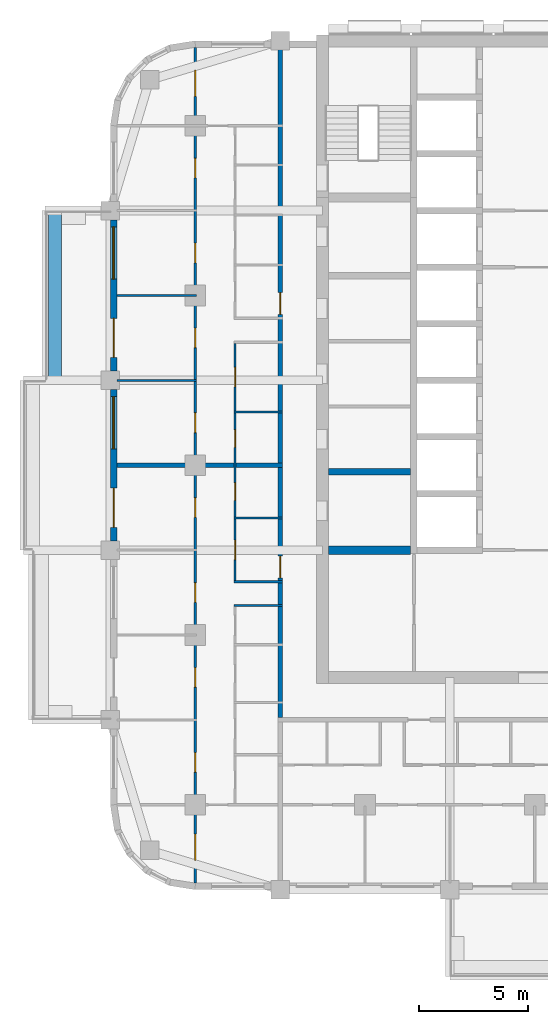
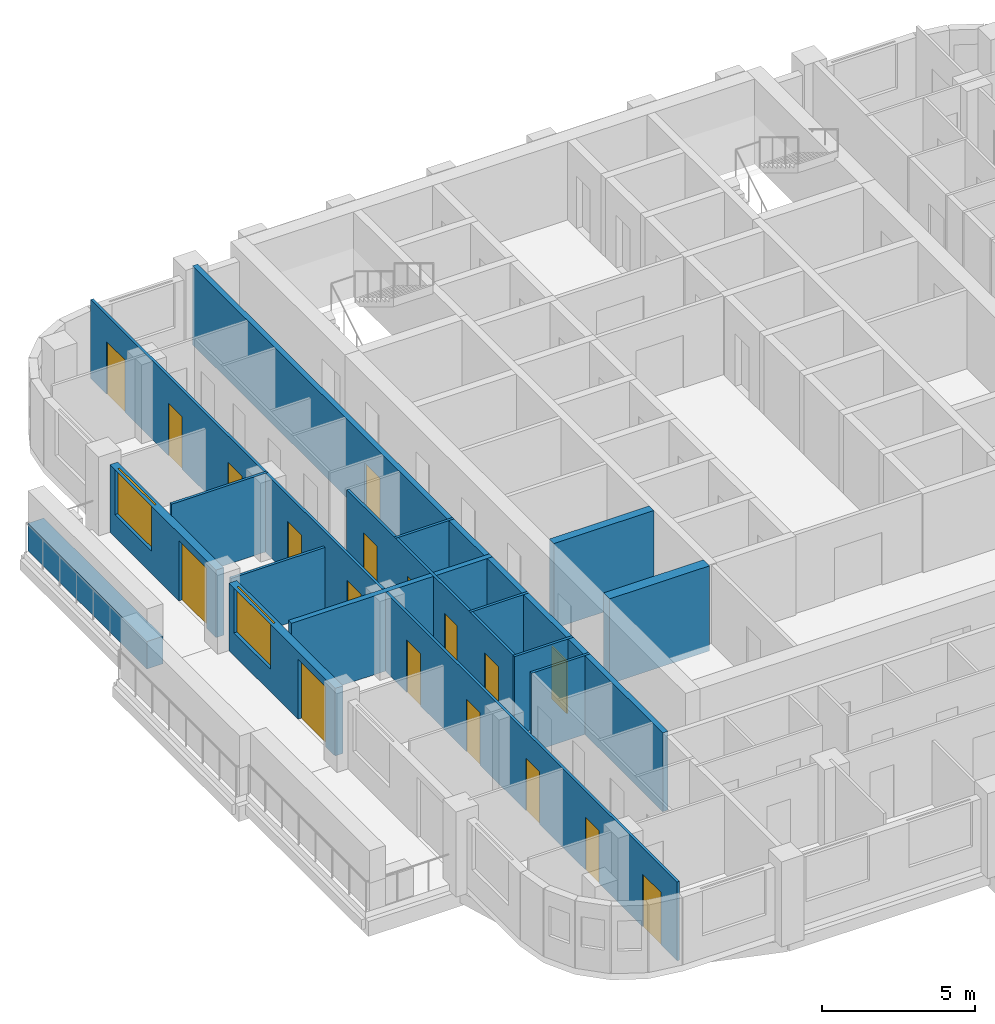
# One storey, part 4 of 14: 18 doors, 15 walls, 2 windows, 20 openings.
"""IFC4 building model written with IfcOpenShell, lengths in metres."""

from ifc_helpers import new_model, si_unit, direction, frame, frame_2d, origin, place, context, subcontext, project, spatial, rectangle, extrude, material, layer, layer_set, type_object, element, fill, save


model = new_model("IFC4")

# Units and contexts
model_context = context("Model", 3, precision=1e-05, world=origin(), true_north=direction((0.0, 1.0)))
body_context = subcontext(model_context, "Body", "Model", "MODEL_VIEW")
ifc_project = project(units=[si_unit("LENGTHUNIT", "METRE"), si_unit("AREAUNIT", "SQUARE_METRE"), si_unit("VOLUMEUNIT", "CUBIC_METRE"), si_unit("PLANEANGLEUNIT", "RADIAN"), si_unit("MASSUNIT", "GRAM", prefix="KILO")], contexts=[model_context])

# Site, building, storey
site_placement = place(None, origin())
site = spatial("IfcSite", under=ifc_project, at=site_placement, CompositionType="ELEMENT")
building_placement = place(site_placement, origin())
building = spatial("IfcBuilding", under=site, at=building_placement, Name="Ludao Terraces", CompositionType="ELEMENT")
storey_placement = place(building_placement, frame((0.0, 0.0, 106.699951171875)))
storey = spatial("IfcBuildingStorey", under=building, at=storey_placement, Name="L29", CompositionType="ELEMENT", Elevation=106.699951171875)

# Wall
ifc_material_1 = material(Name="Concrete C40", Category="concrete")
ifc_layer_1 = layer(ifc_material_1, 0.60009765625)
ifc_layer_set_1 = layer_set([ifc_layer_1], Name="ENV Planter trough 600")
wall_type_1 = type_object("IfcWallType", Name="ENV Planter trough 600", PredefinedType="USERDEFINED", material=ifc_layer_set_1)
wall_1_placement = place(storey_placement, frame((62.949951171875, 68.89990234375, 0.0), z_axis=(0.0, 0.0, 1.0), x_axis=(0.0, 1.0, 0.0)))
element("IfcWall", 1, at=wall_1_placement, inside=storey, type_object=wall_type_1, Name="PL-L29-W3", ObjectType="PLANTER", PredefinedType="USERDEFINED", context=body_context, shape_type="SweptSolid", body=[
    extrude(rectangle(XDim=7.800048828125, YDim=0.60009765625, at=frame_2d((3.89990234375, 0.0))), origin(), (0.0, 0.0, 1.0), 1.10009765625),
])

# Wall, openings, door, window
ifc_material_2 = material(Name="Granite cladding", Category="masonry")
ifc_layer_2 = layer(ifc_material_2, 0.0400390625, Category="stone")
ifc_material_3 = material(Name="Mineral wool")
ifc_layer_3 = layer(ifc_material_3, 0.06005859375)
ifc_layer_4 = layer(ifc_material_1, 0.199951171875, Category="concrete")
ifc_layer_set_2 = layer_set([ifc_layer_2, ifc_layer_3, ifc_layer_4], Name="ENV Stone-clad wall 300")
wall_type_2 = type_object("IfcWallType", Name="ENV Stone-clad wall 300", PredefinedType="SOLIDWALL", material=ifc_layer_set_2)
wall_2_placement = place(storey_placement, frame((65.64990234375, 61.52490234375, 0.0), z_axis=(0.0, 0.0, 1.0), x_axis=(0.0, 1.0, 0.0)))
wall_2 = element("IfcWall", 2, at=wall_2_placement, inside=storey, type_object=wall_type_2, Name="EW-L29-W3", PredefinedType="SOLIDWALL", context=body_context, shape_type="SweptSolid", body=[
    extrude(rectangle(XDim=6.9501953125, YDim=0.300048828125, at=frame_2d((3.47509765625, 0.0))), origin(), (0.0, 0.0, 1.0), 2.699951171875),
])
opening_1_placement = place(wall_2_placement, frame((0.625, 0.0, 0.0)))
opening_1 = element("IfcOpeningElement", 3, at=opening_1_placement, cuts=wall_2, Name="Opening BD", PredefinedType="OPENING", context=body_context, shape_type="SweptSolid", body=[
    extrude(rectangle(XDim=1.800048828125, YDim=2.39990234375, at=frame_2d((0.89990234375, 1.199951171875))), frame((0.0, 0.16015625, 0.0), z_axis=(0.0, -1.0, 0.0), x_axis=(1.0, 0.0, 0.0)), (0.0, 0.0, 1.0), 0.320068359375),
])
opening_2_placement = place(wall_2_placement, frame((4.22509765625, 0.0, 0.89990234375)))
opening_2 = element("IfcOpeningElement", 4, at=opening_2_placement, cuts=wall_2, Name="Opening W1", PredefinedType="OPENING", context=body_context, shape_type="SweptSolid", body=[
    extrude(rectangle(XDim=2.39990234375, YDim=1.800048828125, at=frame_2d((1.199951171875, 0.89990234375))), frame((0.0, 0.16015625, 0.0), z_axis=(0.0, -1.0, 0.0), x_axis=(1.0, 0.0, 0.0)), (0.0, 0.0, 1.0), 0.320068359375),
])
ifc_material_4 = material(Name="Aluminium glazed door", Category="aluminium")
ifc_layer_5 = layer(ifc_material_4, 0.06005859375)
ifc_layer_set_3 = layer_set([ifc_layer_5], Name="ENV Balcony door BD 1800x2400")
door_type_1 = type_object("IfcDoorType", Name="ENV Balcony door BD 1800x2400", OperationType="DOUBLE_DOOR_SINGLE_SWING", PredefinedType="DOOR", material=ifc_layer_set_3)
door_1_placement = place(opening_1_placement, origin())
door_1 = element("IfcDoor", 5, at=door_1_placement, inside=storey, type_object=door_type_1, Name="BD-L29-W3-1", OperationType="DOUBLE_DOOR_SINGLE_SWING", OverallHeight=2.39990234375, OverallWidth=1.800048828125, PredefinedType="DOOR", context=body_context, shape_type="SweptSolid", body=[
    extrude(rectangle(XDim=1.800048828125, YDim=2.39990234375, at=frame_2d((0.89990234375, 1.199951171875))), frame((0.0, 0.02490234375, 0.0), z_axis=(0.0, -1.0, 0.0), x_axis=(1.0, 0.0, 0.0)), (0.0, 0.0, 1.0), 0.050048828125),
])
fill(opening_1, door_1)
ifc_material_5 = material(Name="Clear glass in aluminium frame", Category="aluminium")
ifc_layer_6 = layer(ifc_material_5, 0.06005859375)
ifc_layer_set_4 = layer_set([ifc_layer_6], Name="ENV Window W1 2400x1800")
window_type = type_object("IfcWindowType", Name="ENV Window W1 2400x1800", PartitioningType="DOUBLE_PANEL_VERTICAL", PredefinedType="WINDOW", material=ifc_layer_set_4)
window_1_placement = place(opening_2_placement, origin())
window_1 = element("IfcWindow", 6, at=window_1_placement, inside=storey, type_object=window_type, Name="W-L29-W3-2", OverallHeight=1.800048828125, OverallWidth=2.39990234375, PartitioningType="DOUBLE_PANEL_VERTICAL", PredefinedType="WINDOW", context=body_context, shape_type="SweptSolid", body=[
    extrude(rectangle(XDim=2.39990234375, YDim=1.800048828125, at=frame_2d((1.199951171875, 0.89990234375))), frame((0.0, 0.030029296875, 0.0), z_axis=(0.0, -1.0, 0.0), x_axis=(1.0, 0.0, 0.0)), (0.0, 0.0, 1.0), 0.06005859375),
])
fill(opening_2, window_1)

wall_3_placement = place(storey_placement, frame((65.64990234375, 69.324951171875, 0.0), z_axis=(0.0, 0.0, 1.0), x_axis=(0.0, 1.0, 0.0)))
wall_3 = element("IfcWall", 7, at=wall_3_placement, inside=storey, type_object=wall_type_2, Name="EW-L29-W4", PredefinedType="SOLIDWALL", context=body_context, shape_type="SweptSolid", body=[
    extrude(rectangle(XDim=6.949951171875, YDim=0.300048828125, at=frame_2d((3.47509765625, 0.0))), origin(), (0.0, 0.0, 1.0), 2.699951171875),
])
opening_3_placement = place(wall_3_placement, frame((0.625, 0.0, 0.0)))
opening_3 = element("IfcOpeningElement", 8, at=opening_3_placement, cuts=wall_3, Name="Opening BD", PredefinedType="OPENING", context=body_context, shape_type="SweptSolid", body=[
    extrude(rectangle(XDim=1.800048828125, YDim=2.39990234375, at=frame_2d((0.89990234375, 1.199951171875))), frame((0.0, 0.16015625, 0.0), z_axis=(0.0, -1.0, 0.0), x_axis=(1.0, 0.0, 0.0)), (0.0, 0.0, 1.0), 0.320068359375),
])
opening_4_placement = place(wall_3_placement, frame((4.22509765625, 0.0, 0.89990234375)))
opening_4 = element("IfcOpeningElement", 9, at=opening_4_placement, cuts=wall_3, Name="Opening W1", PredefinedType="OPENING", context=body_context, shape_type="SweptSolid", body=[
    extrude(rectangle(XDim=2.39990234375, YDim=1.800048828125, at=frame_2d((1.199951171875, 0.89990234375))), frame((0.0, 0.16015625, 0.0), z_axis=(0.0, -1.0, 0.0), x_axis=(1.0, 0.0, 0.0)), (0.0, 0.0, 1.0), 0.320068359375),
])
door_2_placement = place(opening_3_placement, origin())
door_2 = element("IfcDoor", 10, at=door_2_placement, inside=storey, type_object=door_type_1, Name="BD-L29-W4-1", OperationType="DOUBLE_DOOR_SINGLE_SWING", OverallHeight=2.39990234375, OverallWidth=1.800048828125, PredefinedType="DOOR", context=body_context, shape_type="SweptSolid", body=[
    extrude(rectangle(XDim=1.800048828125, YDim=2.39990234375, at=frame_2d((0.89990234375, 1.199951171875))), frame((0.0, 0.02490234375, 0.0), z_axis=(0.0, -1.0, 0.0), x_axis=(1.0, 0.0, 0.0)), (0.0, 0.0, 1.0), 0.050048828125),
])
fill(opening_3, door_2)
window_2_placement = place(opening_4_placement, origin())
window_2 = element("IfcWindow", 11, at=window_2_placement, inside=storey, type_object=window_type, Name="W-L29-W4-2", OverallHeight=1.800048828125, OverallWidth=2.39990234375, PartitioningType="DOUBLE_PANEL_VERTICAL", PredefinedType="WINDOW", context=body_context, shape_type="SweptSolid", body=[
    extrude(rectangle(XDim=2.39990234375, YDim=1.800048828125, at=frame_2d((1.199951171875, 0.89990234375))), frame((0.0, 0.030029296875, 0.0), z_axis=(0.0, -1.0, 0.0), x_axis=(1.0, 0.0, 0.0)), (0.0, 0.0, 1.0), 0.06005859375),
])
fill(opening_4, window_2)

# Wall, openings, doors
ifc_material_6 = material(Name="Autoclaved aerated concrete block B06 A3.5", Category="concrete")
ifc_layer_7 = layer(ifc_material_6, 0.199951171875)
ifc_layer_set_5 = layer_set([ifc_layer_7], Name="INT Entrance wall 200")
wall_type_3 = type_object("IfcWallType", Name="INT Entrance wall 200", PredefinedType="PARTITIONING", material=ifc_layer_set_5)
wall_4_placement = place(storey_placement, frame((73.300048828125, 53.400146484375, 0.0), z_axis=(0.0, 0.0, 1.0), x_axis=(0.0, 1.0, 0.0)))
wall_4 = element("IfcWall", 12, at=wall_4_placement, inside=storey, type_object=wall_type_3, Name="PW-L29-PW055", PredefinedType="PARTITIONING", context=body_context, shape_type="SweptSolid", body=[
    extrude(rectangle(XDim=30.800048828125, YDim=0.199951171875, at=frame_2d((15.39990234375, 0.0))), origin(), (0.0, 0.0, 1.0), 3.150146484375),
])
opening_5_placement = place(wall_4_placement, frame((6.425048828125, 0.0, 0.0)))
opening_5 = element("IfcOpeningElement", 13, at=opening_5_placement, cuts=wall_4, Name="Opening R08-041", PredefinedType="OPENING", context=body_context, shape_type="SweptSolid", body=[
    extrude(rectangle(XDim=1.0, YDim=2.10009765625, at=frame_2d((0.5, 1.050048828125))), frame((0.0, 0.10986328125, 0.0), z_axis=(0.0, -1.0, 0.0), x_axis=(1.0, 0.0, 0.0)), (0.0, 0.0, 1.0), 0.219970703125),
])
opening_6_placement = place(wall_4_placement, frame((18.52490234375, 0.0, 0.0)))
opening_6 = element("IfcOpeningElement", 14, at=opening_6_placement, cuts=wall_4, Name="Opening R08-069", PredefinedType="OPENING", context=body_context, shape_type="SweptSolid", body=[
    extrude(rectangle(XDim=1.0, YDim=2.10009765625, at=frame_2d((0.5, 1.050048828125))), frame((0.0, 0.10986328125, 0.0), z_axis=(0.0, -1.0, 0.0), x_axis=(1.0, 0.0, 0.0)), (0.0, 0.0, 1.0), 0.219970703125),
])
ifc_material_7 = material(Name="Steel Q235", Category="steel")
door_type_2 = type_object("IfcDoorType", Name="INT Flat entrance door 1000", OperationType="SINGLE_SWING_LEFT", PredefinedType="DOOR", material=ifc_material_7)
door_3_placement = place(opening_5_placement, origin())
door_3 = element("IfcDoor", 15, at=door_3_placement, inside=storey, type_object=door_type_2, Name="DOOR 041", OperationType="SINGLE_SWING_RIGHT", OverallHeight=2.10009765625, OverallWidth=1.0, PredefinedType="DOOR", context=body_context, shape_type="SweptSolid", body=[
    extrude(rectangle(XDim=1.0, YDim=2.10009765625, at=frame_2d((0.5, 1.050048828125))), frame((0.0, 0.02490234375, 0.0), z_axis=(0.0, -1.0, 0.0), x_axis=(1.0, 0.0, 0.0)), (0.0, 0.0, 1.0), 0.050048828125),
])
fill(opening_5, door_3)
door_4_placement = place(opening_6_placement, origin())
door_4 = element("IfcDoor", 16, at=door_4_placement, inside=storey, type_object=door_type_2, Name="DOOR 069", OperationType="SINGLE_SWING_RIGHT", OverallHeight=2.10009765625, OverallWidth=1.0, PredefinedType="DOOR", context=body_context, shape_type="SweptSolid", body=[
    extrude(rectangle(XDim=1.0, YDim=2.10009765625, at=frame_2d((0.5, 1.050048828125))), frame((0.0, 0.02490234375, 0.0), z_axis=(0.0, -1.0, 0.0), x_axis=(1.0, 0.0, 0.0)), (0.0, 0.0, 1.0), 0.050048828125),
])
fill(opening_6, door_4)

# Walls
ifc_material_8 = material(Name="Gypsum plasterboard", Category="gypsum")
ifc_layer_8 = layer(ifc_material_8, 0.012451171875, Category="gypsum")
ifc_layer_9 = layer(ifc_material_3, 0.06005859375, Name="insulation")
ifc_layer_10 = layer(ifc_material_7, 0.014892578125, Name="stud")
ifc_layer_11 = layer(ifc_material_8, 0.012451171875, Category="gypsum")
ifc_layer_set_6 = layer_set([ifc_layer_8, ifc_layer_9, ifc_layer_10, ifc_layer_11], Name="INT Partition 100")
wall_type_4 = type_object("IfcWallType", Name="INT Partition 100", PredefinedType="PARTITIONING", material=ifc_layer_set_6)
for number, where, z_axis, x_axis, name in (
    (17, (71.18017578125, 58.550048828125, 0.0), (0.0, 0.0, 1.0), (1.0, 0.0, 0.0), "PW-L29-PW015"),
    (18, (71.18017578125, 59.64990234375, 0.0), (0.0, 0.0, 1.0), (1.0, 0.0, 0.0), "PW-L29-PW017"),
    (19, (71.18017578125, 62.570068359375, 0.0), (0.0, 0.0, 1.0), (1.0, 0.0, 0.0), "PW-L29-PW021"),
    (20, (71.18017578125, 67.449951171875, 0.0), (0.0, 0.0, 1.0), (1.0, 0.0, 0.0), "PW-L29-PW027"),
):
    element("IfcWall", number, at=place(storey_placement, frame(where, z_axis=z_axis, x_axis=x_axis)), inside=storey, type_object=wall_type_4, Name=name, PredefinedType="PARTITIONING", context=body_context, shape_type="SweptSolid", body=[
        extrude(rectangle(XDim=2.219970703125, YDim=0.10009765625, at=frame_2d((1.10986328125, 0.0))), origin(), (0.0, 0.0, 1.0), 3.150146484375),
    ])
wall_5_placement = place(storey_placement, frame((65.800048828125, 68.89990234375, 0.0), z_axis=(0.0, 0.0, 1.0), x_axis=(1.0, 0.0, 0.0)))
element("IfcWall", 21, at=wall_5_placement, inside=storey, type_object=wall_type_4, Name="PW-L29-PW029", PredefinedType="PARTITIONING", context=body_context, shape_type="SweptSolid", body=[
    extrude(rectangle(XDim=3.650146484375, YDim=0.10009765625, at=frame_2d((1.8251953125, 0.0))), origin(), (0.0, 0.0, 1.0), 2.550048828125),
])
wall_6_placement = place(storey_placement, frame((65.800048828125, 72.800048828125, 0.0), z_axis=(0.0, 0.0, 1.0), x_axis=(1.0, 0.0, 0.0)))
element("IfcWall", 22, at=wall_6_placement, inside=storey, type_object=wall_type_4, Name="PW-L29-PW036", PredefinedType="PARTITIONING", context=body_context, shape_type="SweptSolid", body=[
    extrude(rectangle(XDim=3.650146484375, YDim=0.10009765625, at=frame_2d((1.8251953125, 0.0))), origin(), (0.0, 0.0, 1.0), 3.150146484375),
])

# Wall, openings, doors
wall_7_placement = place(storey_placement, frame((69.39990234375, 45.800048828125, 0.0), z_axis=(0.0, 0.0, 1.0), x_axis=(0.0, 1.0, 0.0)))
wall_7 = element("IfcWall", 23, at=wall_7_placement, inside=storey, type_object=wall_type_4, Name="PW-L29-PW050", PredefinedType="PARTITIONING", context=body_context, shape_type="SweptSolid", body=[
    extrude(rectangle(XDim=38.400146484375, YDim=0.10009765625, at=frame_2d((19.2001953125, 0.0))), origin(), (0.0, 0.0, 1.0), 3.150146484375),
])
opening_7_placement = place(wall_7_placement, frame((1.050048828125, 0.0, 0.0)))
opening_7 = element("IfcOpeningElement", 24, at=opening_7_placement, cuts=wall_7, Name="Opening R08-001", PredefinedType="OPENING", context=body_context, shape_type="SweptSolid", body=[
    extrude(rectangle(XDim=1.199951171875, YDim=2.10009765625, at=frame_2d((0.60009765625, 1.050048828125))), frame((0.0, 0.06005859375, 0.0), z_axis=(0.0, -1.0, 0.0), x_axis=(1.0, 0.0, 0.0)), (0.0, 0.0, 1.0), 0.1201171875),
])
opening_8_placement = place(wall_7_placement, frame((5.10009765625, 0.0, 0.0)))
opening_8 = element("IfcOpeningElement", 25, at=opening_8_placement, cuts=wall_7, Name="Opening R08-022", PredefinedType="OPENING", context=body_context, shape_type="SweptSolid", body=[
    extrude(rectangle(XDim=0.89990234375, YDim=2.10009765625, at=frame_2d((0.449951171875, 1.050048828125))), frame((0.0, 0.06005859375, 0.0), z_axis=(0.0, -1.0, 0.0), x_axis=(1.0, 0.0, 0.0)), (0.0, 0.0, 1.0), 0.1201171875),
])
opening_9_placement = place(wall_7_placement, frame((9.0, 0.0, 0.0)))
opening_9 = element("IfcOpeningElement", 26, at=opening_9_placement, cuts=wall_7, Name="Opening R08-028", PredefinedType="OPENING", context=body_context, shape_type="SweptSolid", body=[
    extrude(rectangle(XDim=0.89990234375, YDim=2.10009765625, at=frame_2d((0.449951171875, 1.050048828125))), frame((0.0, 0.06005859375, 0.0), z_axis=(0.0, -1.0, 0.0), x_axis=(1.0, 0.0, 0.0)), (0.0, 0.0, 1.0), 0.1201171875),
])
opening_10_placement = place(wall_7_placement, frame((12.89990234375, 0.0, 0.0)))
opening_10 = element("IfcOpeningElement", 27, at=opening_10_placement, cuts=wall_7, Name="Opening R08-037", PredefinedType="OPENING", context=body_context, shape_type="SweptSolid", body=[
    extrude(rectangle(XDim=0.89990234375, YDim=2.10009765625, at=frame_2d((0.449951171875, 1.050048828125))), frame((0.0, 0.06005859375, 0.0), z_axis=(0.0, -1.0, 0.0), x_axis=(1.0, 0.0, 0.0)), (0.0, 0.0, 1.0), 0.1201171875),
])
opening_11_placement = place(wall_7_placement, frame((16.800048828125, 0.0, 0.0)))
opening_11 = element("IfcOpeningElement", 28, at=opening_11_placement, cuts=wall_7, Name="Opening R08-047", PredefinedType="OPENING", context=body_context, shape_type="SweptSolid", body=[
    extrude(rectangle(XDim=0.89990234375, YDim=2.10009765625, at=frame_2d((0.449951171875, 1.050048828125))), frame((0.0, 0.06005859375, 0.0), z_axis=(0.0, -1.0, 0.0), x_axis=(1.0, 0.0, 0.0)), (0.0, 0.0, 1.0), 0.1201171875),
])
opening_12_placement = place(wall_7_placement, frame((20.699951171875, 0.0, 0.0)))
opening_12 = element("IfcOpeningElement", 29, at=opening_12_placement, cuts=wall_7, Name="Opening R08-055", PredefinedType="OPENING", context=body_context, shape_type="SweptSolid", body=[
    extrude(rectangle(XDim=0.89990234375, YDim=2.10009765625, at=frame_2d((0.449951171875, 1.050048828125))), frame((0.0, 0.06005859375, 0.0), z_axis=(0.0, -1.0, 0.0), x_axis=(1.0, 0.0, 0.0)), (0.0, 0.0, 1.0), 0.1201171875),
])
opening_13_placement = place(wall_7_placement, frame((24.60009765625, 0.0, 0.0)))
opening_13 = element("IfcOpeningElement", 30, at=opening_13_placement, cuts=wall_7, Name="Opening R08-065", PredefinedType="OPENING", context=body_context, shape_type="SweptSolid", body=[
    extrude(rectangle(XDim=0.89990234375, YDim=2.10009765625, at=frame_2d((0.449951171875, 1.050048828125))), frame((0.0, 0.06005859375, 0.0), z_axis=(0.0, -1.0, 0.0), x_axis=(1.0, 0.0, 0.0)), (0.0, 0.0, 1.0), 0.1201171875),
])
opening_14_placement = place(wall_7_placement, frame((28.5, 0.0, 0.0)))
opening_14 = element("IfcOpeningElement", 31, at=opening_14_placement, cuts=wall_7, Name="Opening R08-075", PredefinedType="OPENING", context=body_context, shape_type="SweptSolid", body=[
    extrude(rectangle(XDim=0.89990234375, YDim=2.10009765625, at=frame_2d((0.449951171875, 1.050048828125))), frame((0.0, 0.06005859375, 0.0), z_axis=(0.0, -1.0, 0.0), x_axis=(1.0, 0.0, 0.0)), (0.0, 0.0, 1.0), 0.1201171875),
])
opening_15_placement = place(wall_7_placement, frame((32.39990234375, 0.0, 0.0)))
opening_15 = element("IfcOpeningElement", 32, at=opening_15_placement, cuts=wall_7, Name="Opening R08-090", PredefinedType="OPENING", context=body_context, shape_type="SweptSolid", body=[
    extrude(rectangle(XDim=0.89990234375, YDim=2.10009765625, at=frame_2d((0.449951171875, 1.050048828125))), frame((0.0, 0.06005859375, 0.0), z_axis=(0.0, -1.0, 0.0), x_axis=(1.0, 0.0, 0.0)), (0.0, 0.0, 1.0), 0.1201171875),
])
opening_16_placement = place(wall_7_placement, frame((36.14990234375, 0.0, 0.0)))
opening_16 = element("IfcOpeningElement", 33, at=opening_16_placement, cuts=wall_7, Name="Opening R08-098", PredefinedType="OPENING", context=body_context, shape_type="SweptSolid", body=[
    extrude(rectangle(XDim=1.199951171875, YDim=2.10009765625, at=frame_2d((0.60009765625, 1.050048828125))), frame((0.0, 0.06005859375, 0.0), z_axis=(0.0, -1.0, 0.0), x_axis=(1.0, 0.0, 0.0)), (0.0, 0.0, 1.0), 0.1201171875),
])
ifc_material_9 = material(Name="Timber door leaf", Category="wood")
door_type_3 = type_object("IfcDoorType", Name="INT Double door 1200", OperationType="DOUBLE_DOOR_SINGLE_SWING", PredefinedType="DOOR", material=ifc_material_9)
door_5_placement = place(opening_7_placement, origin())
door_5 = element("IfcDoor", 34, at=door_5_placement, inside=storey, type_object=door_type_3, Name="DOOR 001", OperationType="DOUBLE_DOOR_SINGLE_SWING", OverallHeight=2.10009765625, OverallWidth=1.199951171875, PredefinedType="DOOR", context=body_context, shape_type="SweptSolid", body=[
    extrude(rectangle(XDim=1.199951171875, YDim=2.10009765625, at=frame_2d((0.60009765625, 1.050048828125))), frame((0.0, 0.02490234375, 0.0), z_axis=(0.0, -1.0, 0.0), x_axis=(1.0, 0.0, 0.0)), (0.0, 0.0, 1.0), 0.050048828125),
])
fill(opening_7, door_5)
door_6_placement = place(opening_16_placement, origin())
door_6 = element("IfcDoor", 35, at=door_6_placement, inside=storey, type_object=door_type_3, Name="DOOR 098", OperationType="DOUBLE_DOOR_SINGLE_SWING", OverallHeight=2.10009765625, OverallWidth=1.199951171875, PredefinedType="DOOR", context=body_context, shape_type="SweptSolid", body=[
    extrude(rectangle(XDim=1.199951171875, YDim=2.10009765625, at=frame_2d((0.60009765625, 1.050048828125))), frame((0.0, 0.02490234375, 0.0), z_axis=(0.0, -1.0, 0.0), x_axis=(1.0, 0.0, 0.0)), (0.0, 0.0, 1.0), 0.050048828125),
])
fill(opening_16, door_6)
door_type_4 = type_object("IfcDoorType", Name="INT Room door 900", OperationType="SINGLE_SWING_LEFT", PredefinedType="DOOR", material=ifc_material_9)
door_7_placement = place(opening_8_placement, origin())
door_7 = element("IfcDoor", 36, at=door_7_placement, inside=storey, type_object=door_type_4, Name="DOOR 022", OperationType="SINGLE_SWING_RIGHT", OverallHeight=2.10009765625, OverallWidth=0.89990234375, PredefinedType="DOOR", context=body_context, shape_type="SweptSolid", body=[
    extrude(rectangle(XDim=0.89990234375, YDim=2.10009765625, at=frame_2d((0.449951171875, 1.050048828125))), frame((0.0, 0.02490234375, 0.0), z_axis=(0.0, -1.0, 0.0), x_axis=(1.0, 0.0, 0.0)), (0.0, 0.0, 1.0), 0.050048828125),
])
fill(opening_8, door_7)
door_8_placement = place(opening_9_placement, origin())
door_8 = element("IfcDoor", 37, at=door_8_placement, inside=storey, type_object=door_type_4, Name="DOOR 028", OperationType="SINGLE_SWING_LEFT", OverallHeight=2.10009765625, OverallWidth=0.89990234375, PredefinedType="DOOR", context=body_context, shape_type="SweptSolid", body=[
    extrude(rectangle(XDim=0.89990234375, YDim=2.10009765625, at=frame_2d((0.449951171875, 1.050048828125))), frame((0.0, 0.02490234375, 0.0), z_axis=(0.0, -1.0, 0.0), x_axis=(1.0, 0.0, 0.0)), (0.0, 0.0, 1.0), 0.050048828125),
])
fill(opening_9, door_8)
door_9_placement = place(opening_10_placement, origin())
door_9 = element("IfcDoor", 38, at=door_9_placement, inside=storey, type_object=door_type_4, Name="DOOR 037", OperationType="SINGLE_SWING_LEFT", OverallHeight=2.10009765625, OverallWidth=0.89990234375, PredefinedType="DOOR", context=body_context, shape_type="SweptSolid", body=[
    extrude(rectangle(XDim=0.89990234375, YDim=2.10009765625, at=frame_2d((0.449951171875, 1.050048828125))), frame((0.0, 0.02490234375, 0.0), z_axis=(0.0, -1.0, 0.0), x_axis=(1.0, 0.0, 0.0)), (0.0, 0.0, 1.0), 0.050048828125),
])
fill(opening_10, door_9)
door_10_placement = place(opening_11_placement, origin())
door_10 = element("IfcDoor", 39, at=door_10_placement, inside=storey, type_object=door_type_4, Name="DOOR 047", OperationType="SINGLE_SWING_LEFT", OverallHeight=2.10009765625, OverallWidth=0.89990234375, PredefinedType="DOOR", context=body_context, shape_type="SweptSolid", body=[
    extrude(rectangle(XDim=0.89990234375, YDim=2.10009765625, at=frame_2d((0.449951171875, 1.050048828125))), frame((0.0, 0.02490234375, 0.0), z_axis=(0.0, -1.0, 0.0), x_axis=(1.0, 0.0, 0.0)), (0.0, 0.0, 1.0), 0.050048828125),
])
fill(opening_11, door_10)
door_11_placement = place(opening_12_placement, origin())
door_11 = element("IfcDoor", 40, at=door_11_placement, inside=storey, type_object=door_type_4, Name="DOOR 055", OperationType="SINGLE_SWING_RIGHT", OverallHeight=2.10009765625, OverallWidth=0.89990234375, PredefinedType="DOOR", context=body_context, shape_type="SweptSolid", body=[
    extrude(rectangle(XDim=0.89990234375, YDim=2.10009765625, at=frame_2d((0.449951171875, 1.050048828125))), frame((0.0, 0.02490234375, 0.0), z_axis=(0.0, -1.0, 0.0), x_axis=(1.0, 0.0, 0.0)), (0.0, 0.0, 1.0), 0.050048828125),
])
fill(opening_12, door_11)
door_12_placement = place(opening_13_placement, origin())
door_12 = element("IfcDoor", 41, at=door_12_placement, inside=storey, type_object=door_type_4, Name="DOOR 065", OperationType="SINGLE_SWING_RIGHT", OverallHeight=2.10009765625, OverallWidth=0.89990234375, PredefinedType="DOOR", context=body_context, shape_type="SweptSolid", body=[
    extrude(rectangle(XDim=0.89990234375, YDim=2.10009765625, at=frame_2d((0.449951171875, 1.050048828125))), frame((0.0, 0.02490234375, 0.0), z_axis=(0.0, -1.0, 0.0), x_axis=(1.0, 0.0, 0.0)), (0.0, 0.0, 1.0), 0.050048828125),
])
fill(opening_13, door_12)
door_13_placement = place(opening_14_placement, origin())
door_13 = element("IfcDoor", 42, at=door_13_placement, inside=storey, type_object=door_type_4, Name="DOOR 075", OperationType="SINGLE_SWING_LEFT", OverallHeight=2.10009765625, OverallWidth=0.89990234375, PredefinedType="DOOR", context=body_context, shape_type="SweptSolid", body=[
    extrude(rectangle(XDim=0.89990234375, YDim=2.10009765625, at=frame_2d((0.449951171875, 1.050048828125))), frame((0.0, 0.02490234375, 0.0), z_axis=(0.0, -1.0, 0.0), x_axis=(1.0, 0.0, 0.0)), (0.0, 0.0, 1.0), 0.050048828125),
])
fill(opening_14, door_13)
door_14_placement = place(opening_15_placement, origin())
door_14 = element("IfcDoor", 43, at=door_14_placement, inside=storey, type_object=door_type_4, Name="DOOR 090", OperationType="SINGLE_SWING_LEFT", OverallHeight=2.10009765625, OverallWidth=0.89990234375, PredefinedType="DOOR", context=body_context, shape_type="SweptSolid", body=[
    extrude(rectangle(XDim=0.89990234375, YDim=2.10009765625, at=frame_2d((0.449951171875, 1.050048828125))), frame((0.0, 0.02490234375, 0.0), z_axis=(0.0, -1.0, 0.0), x_axis=(1.0, 0.0, 0.0)), (0.0, 0.0, 1.0), 0.050048828125),
])
fill(opening_15, door_14)

wall_8_placement = place(storey_placement, frame((71.22998046875, 59.7001953125, 0.0), z_axis=(0.0, 0.0, 1.0), x_axis=(0.0, 1.0, 0.0)))
wall_8 = element("IfcWall", 44, at=wall_8_placement, inside=storey, type_object=wall_type_4, Name="PW-L29-PW052", PredefinedType="PARTITIONING", context=body_context, shape_type="SweptSolid", body=[
    extrude(rectangle(XDim=10.89990234375, YDim=0.10009765625, at=frame_2d((5.449951171875, 0.0))), origin(), (0.0, 0.0, 1.0), 3.150146484375),
])
opening_17_placement = place(wall_8_placement, frame((0.9599609375, 0.0, 0.0)))
opening_17 = element("IfcOpeningElement", 45, at=opening_17_placement, cuts=wall_8, Name="Opening R08-043", PredefinedType="OPENING", context=body_context, shape_type="SweptSolid", body=[
    extrude(rectangle(XDim=0.89990234375, YDim=2.10009765625, at=frame_2d((0.449951171875, 1.050048828125))), frame((0.0, 0.06005859375, 0.0), z_axis=(0.0, -1.0, 0.0), x_axis=(1.0, 0.0, 0.0)), (0.0, 0.0, 1.0), 0.1201171875),
])
opening_18_placement = place(wall_8_placement, frame((3.684814453125, 0.0, 0.0)))
opening_18 = element("IfcOpeningElement", 46, at=opening_18_placement, cuts=wall_8, Name="Opening R08-050", PredefinedType="OPENING", context=body_context, shape_type="SweptSolid", body=[
    extrude(rectangle(XDim=0.800048828125, YDim=2.10009765625, at=frame_2d((0.39990234375, 1.050048828125))), frame((0.0, 0.06005859375, 0.0), z_axis=(0.0, -1.0, 0.0), x_axis=(1.0, 0.0, 0.0)), (0.0, 0.0, 1.0), 0.1201171875),
])
opening_19_placement = place(wall_8_placement, frame((6.125, 0.0, 0.0)))
opening_19 = element("IfcOpeningElement", 47, at=opening_19_placement, cuts=wall_8, Name="Opening R08-054", PredefinedType="OPENING", context=body_context, shape_type="SweptSolid", body=[
    extrude(rectangle(XDim=0.800048828125, YDim=2.10009765625, at=frame_2d((0.39990234375, 1.050048828125))), frame((0.0, 0.06005859375, 0.0), z_axis=(0.0, -1.0, 0.0), x_axis=(1.0, 0.0, 0.0)), (0.0, 0.0, 1.0), 0.1201171875),
])
opening_20_placement = place(wall_8_placement, frame((8.89990234375, 0.0, 0.0)))
opening_20 = element("IfcOpeningElement", 48, at=opening_20_placement, cuts=wall_8, Name="Opening R08-061", PredefinedType="OPENING", context=body_context, shape_type="SweptSolid", body=[
    extrude(rectangle(XDim=0.89990234375, YDim=2.10009765625, at=frame_2d((0.449951171875, 1.050048828125))), frame((0.0, 0.06005859375, 0.0), z_axis=(0.0, -1.0, 0.0), x_axis=(1.0, 0.0, 0.0)), (0.0, 0.0, 1.0), 0.1201171875),
])
door_15_placement = place(opening_17_placement, origin())
door_15 = element("IfcDoor", 49, at=door_15_placement, inside=storey, type_object=door_type_4, Name="DOOR 043", OperationType="SINGLE_SWING_RIGHT", OverallHeight=2.10009765625, OverallWidth=0.89990234375, PredefinedType="DOOR", context=body_context, shape_type="SweptSolid", body=[
    extrude(rectangle(XDim=0.89990234375, YDim=2.10009765625, at=frame_2d((0.449951171875, 1.050048828125))), frame((0.0, 0.02490234375, 0.0), z_axis=(0.0, -1.0, 0.0), x_axis=(1.0, 0.0, 0.0)), (0.0, 0.0, 1.0), 0.050048828125),
])
fill(opening_17, door_15)
door_16_placement = place(opening_20_placement, origin())
door_16 = element("IfcDoor", 50, at=door_16_placement, inside=storey, type_object=door_type_4, Name="DOOR 061", OperationType="SINGLE_SWING_LEFT", OverallHeight=2.10009765625, OverallWidth=0.89990234375, PredefinedType="DOOR", context=body_context, shape_type="SweptSolid", body=[
    extrude(rectangle(XDim=0.89990234375, YDim=2.10009765625, at=frame_2d((0.449951171875, 1.050048828125))), frame((0.0, 0.02490234375, 0.0), z_axis=(0.0, -1.0, 0.0), x_axis=(1.0, 0.0, 0.0)), (0.0, 0.0, 1.0), 0.050048828125),
])
fill(opening_20, door_16)
door_type_5 = type_object("IfcDoorType", Name="INT Store door 800", OperationType="SINGLE_SWING_LEFT", PredefinedType="DOOR", material=ifc_material_9)
door_17_placement = place(opening_18_placement, origin())
door_17 = element("IfcDoor", 51, at=door_17_placement, inside=storey, type_object=door_type_5, Name="DOOR 050", OperationType="SINGLE_SWING_LEFT", OverallHeight=2.10009765625, OverallWidth=0.800048828125, PredefinedType="DOOR", context=body_context, shape_type="SweptSolid", body=[
    extrude(rectangle(XDim=0.800048828125, YDim=2.10009765625, at=frame_2d((0.39990234375, 1.050048828125))), frame((0.0, 0.02490234375, 0.0), z_axis=(0.0, -1.0, 0.0), x_axis=(1.0, 0.0, 0.0)), (0.0, 0.0, 1.0), 0.050048828125),
])
fill(opening_18, door_17)
door_18_placement = place(opening_19_placement, origin())
door_18 = element("IfcDoor", 52, at=door_18_placement, inside=storey, type_object=door_type_5, Name="DOOR 054", OperationType="SINGLE_SWING_RIGHT", OverallHeight=2.10009765625, OverallWidth=0.800048828125, PredefinedType="DOOR", context=body_context, shape_type="SweptSolid", body=[
    extrude(rectangle(XDim=0.800048828125, YDim=2.10009765625, at=frame_2d((0.39990234375, 1.050048828125))), frame((0.0, 0.02490234375, 0.0), z_axis=(0.0, -1.0, 0.0), x_axis=(1.0, 0.0, 0.0)), (0.0, 0.0, 1.0), 0.050048828125),
])
fill(opening_19, door_18)

# Walls
ifc_layer_12 = layer(ifc_material_6, 0.199951171875)
ifc_layer_set_7 = layer_set([ifc_layer_12], Name="INT Party wall 200")
wall_type_5 = type_object("IfcWallType", Name="INT Party wall 200", PredefinedType="PARTITIONING", material=ifc_layer_set_7)
wall_9_placement = place(storey_placement, frame((65.800048828125, 65.0, 0.0), z_axis=(0.0, 0.0, 1.0), x_axis=(1.0, 0.0, 0.0)))
element("IfcWall", 53, at=wall_9_placement, inside=storey, type_object=wall_type_5, Name="PW-L29-PW023", PredefinedType="PARTITIONING", context=body_context, shape_type="SweptSolid", body=[
    extrude(rectangle(XDim=7.60009765625, YDim=0.199951171875, at=frame_2d((3.800048828125, 0.0))), origin(), (0.0, 0.0, 1.0), 3.150146484375),
])
ifc_material_10 = material(Name="Concrete C55", Category="concrete")
ifc_layer_13 = layer(ifc_material_10, 0.300048828125)
ifc_layer_set_8 = layer_set([ifc_layer_13], Name="Shaft wall 300 C55")
wall_type_6 = type_object("IfcWallType", Name="Shaft wall 300 C55", PredefinedType="SOLIDWALL", material=ifc_layer_set_8)
wall_10_placement = place(storey_placement, frame((75.52490234375, 64.699951171875, -0.25), z_axis=(0.0, 0.0, 1.0), x_axis=(1.0, 0.0, 0.0)))
element("IfcWall", 54, at=wall_10_placement, inside=storey, type_object=wall_type_6, Name="Core wall L29 riser-a-W", PredefinedType="SOLIDWALL", context=body_context, shape_type="SweptSolid", body=[
    extrude(rectangle(XDim=3.775146484375, YDim=0.300048828125, at=frame_2d((1.8876953125, 0.0))), origin(), (0.0, 0.0, 1.0), 3.400146484375),
])
ifc_layer_14 = layer(ifc_material_10, 0.39990234375)
ifc_layer_set_9 = layer_set([ifc_layer_14], Name="Shaft wall 400 C55")
wall_type_7 = type_object("IfcWallType", Name="Shaft wall 400 C55", PredefinedType="SOLIDWALL", material=ifc_layer_set_9)
wall_11_placement = place(storey_placement, frame((75.52490234375, 61.10009765625, -0.25), z_axis=(0.0, 0.0, 1.0), x_axis=(1.0, 0.0, 0.0)))
element("IfcWall", 55, at=wall_11_placement, inside=storey, type_object=wall_type_7, Name="Core wall L29 hall-W", PredefinedType="SOLIDWALL", context=body_context, shape_type="SweptSolid", body=[
    extrude(rectangle(XDim=3.775146484375, YDim=0.39990234375, at=frame_2d((1.8876953125, 0.0))), origin(), (0.0, 0.0, 1.0), 3.400146484375),
])

save(model, "model.ifc")
